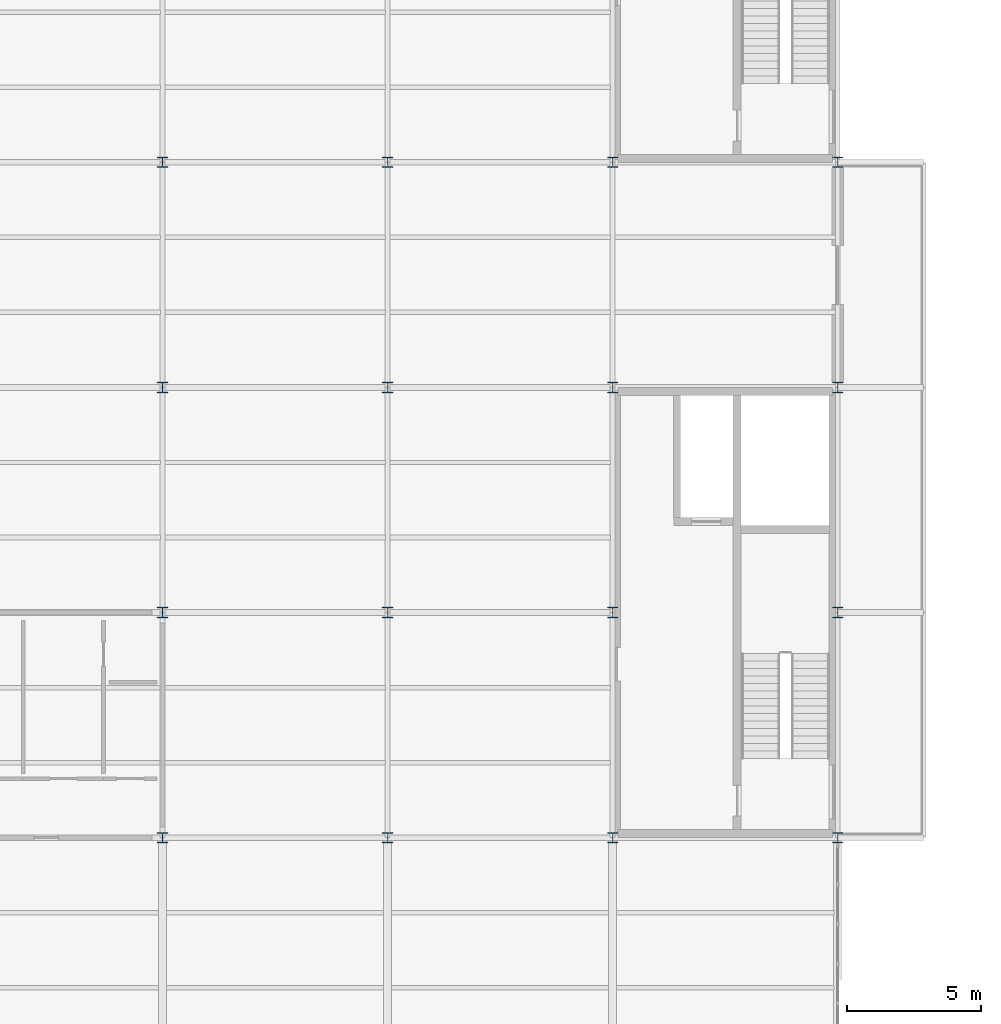
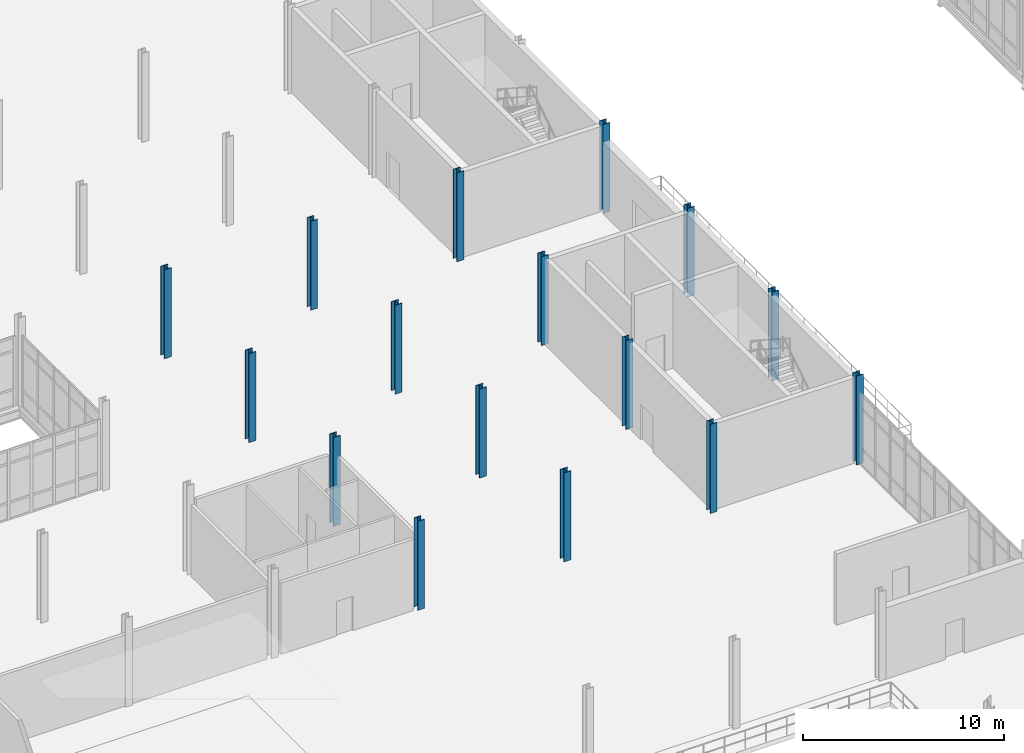
# One storey, part 6 of 111: 16 columns.
"""IFC4 building model written with IfcOpenShell, lengths in metres."""

from ifc_helpers import new_model, si_unit, direction, frame, origin, origin_2d, place, context, subcontext, project, spatial, i_section, extrude, material, material_profile, profile_set, type_object, element, save


model = new_model("IFC4")

# Units and contexts
model_context = context("Model", 3, precision=1e-05, world=origin(), true_north=direction((0.0, 1.0)))
body_context = subcontext(model_context, "Body", "Model", "MODEL_VIEW")
ifc_project = project(units=[si_unit("LENGTHUNIT", "METRE"), si_unit("AREAUNIT", "SQUARE_METRE"), si_unit("VOLUMEUNIT", "CUBIC_METRE"), si_unit("PLANEANGLEUNIT", "RADIAN"), si_unit("MASSUNIT", "GRAM", prefix="KILO"), si_unit("THERMODYNAMICTEMPERATUREUNIT", "KELVIN"), si_unit("POWERUNIT", "WATT")], contexts=[model_context])

# Site, building, storey
site_placement = place(None, origin())
site = spatial("IfcSite", under=ifc_project, at=site_placement, CompositionType="ELEMENT")
building_placement = place(site_placement, origin())
building = spatial("IfcBuilding", under=site, at=building_placement, Name="Tembeka Court Mobility Hub", CompositionType="ELEMENT")
storey_placement = place(building_placement, origin())
storey = spatial("IfcBuildingStorey", under=building, at=storey_placement, Name="L00", CompositionType="ELEMENT", Elevation=0.0)

# Columns
ifc_material = material(Name="Steel S355", Category="steel")
ifc_material_profile = material_profile(ifc_material, i_section(OverallWidth=0.39892578125, OverallDepth=0.39404296875, WebThickness=0.022705078125, FlangeThickness=0.03662109375, FilletRadius=0.01513671875, at=origin_2d()), Name="UKC 356x406x287")
ifc_profile_set = profile_set([ifc_material_profile], Name="Steel S355")
column_type = type_object("IfcColumnType", Name="COL-C01", PredefinedType="COLUMN", material=ifc_profile_set)
for number, where, z_axis, x_axis, name in (
    (1, (67.199951171875, 38.39990234375, 0.0), (0.0, 0.0, 1.0), (1.0, 0.0, 0.0), "Column C01 (L00-095)"),
    (2, (67.199951171875, 46.800048828125, 0.0), (0.0, 0.0, 1.0), (1.0, 0.0, 0.0), "Column C01 (L00-096)"),
    (3, (67.199951171875, 55.199951171875, 0.0), (0.0, 0.0, 1.0), (1.0, 0.0, 0.0), "Column C01 (L00-097)"),
    (4, (67.199951171875, 63.60009765625, 0.0), (0.0, 0.0, 1.0), (1.0, 0.0, 0.0), "Column C01 (L00-098)"),
    (5, (75.60009765625, 38.39990234375, 0.0), (0.0, 0.0, 1.0), (1.0, 0.0, 0.0), "Column C01 (L00-105)"),
    (6, (75.60009765625, 46.800048828125, 0.0), (0.0, 0.0, 1.0), (1.0, 0.0, 0.0), "Column C01 (L00-106)"),
    (7, (75.60009765625, 55.199951171875, 0.0), (0.0, 0.0, 1.0), (1.0, 0.0, 0.0), "Column C01 (L00-107)"),
    (8, (75.60009765625, 63.60009765625, 0.0), (0.0, 0.0, 1.0), (1.0, 0.0, 0.0), "Column C01 (L00-108)"),
    (9, (84.0, 38.39990234375, 0.0), (0.0, 0.0, 1.0), (1.0, 0.0, 0.0), "Column C01 (L00-116)"),
    (10, (84.0, 46.800048828125, 0.0), (0.0, 0.0, 1.0), (1.0, 0.0, 0.0), "Column C01 (L00-117)"),
    (11, (84.0, 55.199951171875, 0.0), (0.0, 0.0, 1.0), (1.0, 0.0, 0.0), "Column C01 (L00-118)"),
    (12, (84.0, 63.60009765625, 0.0), (0.0, 0.0, 1.0), (1.0, 0.0, 0.0), "Column C01 (L00-119)"),
    (13, (92.39990234375, 38.39990234375, 0.0), (0.0, 0.0, 1.0), (1.0, 0.0, 0.0), "Column C01 (L00-128)"),
    (14, (92.39990234375, 46.800048828125, 0.0), (0.0, 0.0, 1.0), (1.0, 0.0, 0.0), "Column C01 (L00-129)"),
    (15, (92.39990234375, 55.199951171875, 0.0), (0.0, 0.0, 1.0), (1.0, 0.0, 0.0), "Column C01 (L00-130)"),
    (16, (92.39990234375, 63.60009765625, 0.0), (0.0, 0.0, 1.0), (1.0, 0.0, 0.0), "Column C01 (L00-131)"),
):
    element("IfcColumn", number, at=place(storey_placement, frame(where, z_axis=z_axis, x_axis=x_axis)), inside=storey, type_object=column_type, Name=name, PredefinedType="COLUMN", context=body_context, shape_type="SweptSolid", body=[
        extrude(i_section(OverallWidth=0.39892578125, OverallDepth=0.39404296875, WebThickness=0.022705078125, FlangeThickness=0.03662109375, FilletRadius=0.01513671875, at=origin_2d()), origin(), (0.0, 0.0, 1.0), 5.39990234375),
    ])

save(model, "model.ifc")
